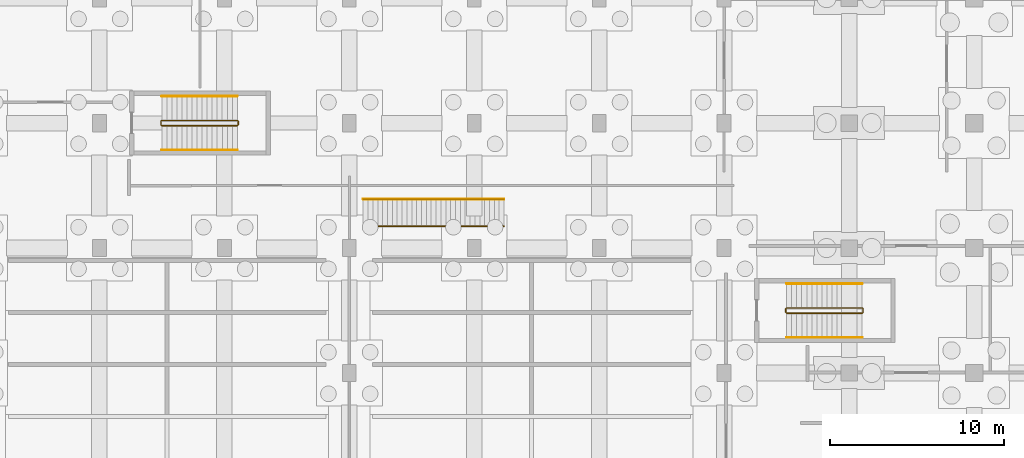
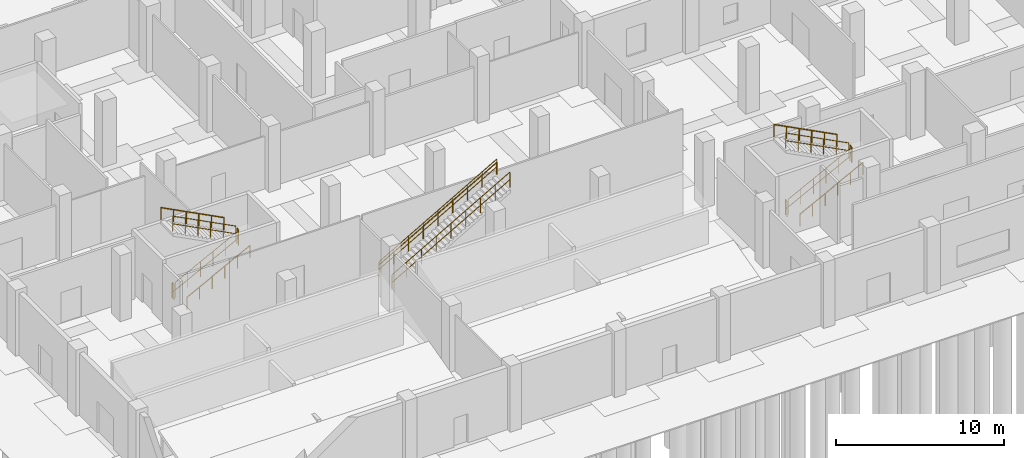
# One storey, part 38 of 48: 15 railings.
"""IFC4 building model written with IfcOpenShell, lengths in metres."""

from ifc_helpers import new_model, si_unit, direction, frame, origin, origin_2d, place, context, subcontext, project, spatial, circle, extrude, material, type_object, element, save


model = new_model("IFC4")

# Units and contexts
model_context = context("Model", 3, precision=1e-05, world=origin(), true_north=direction((0.0, 1.0)))
body_context = subcontext(model_context, "Body", "Model", "MODEL_VIEW")
ifc_project = project(units=[si_unit("LENGTHUNIT", "METRE"), si_unit("AREAUNIT", "SQUARE_METRE"), si_unit("VOLUMEUNIT", "CUBIC_METRE"), si_unit("PLANEANGLEUNIT", "RADIAN"), si_unit("MASSUNIT", "GRAM", prefix="KILO")], contexts=[model_context])

# Site, building, storey
site_placement = place(None, origin())
site = spatial("IfcSite", under=ifc_project, at=site_placement, CompositionType="ELEMENT")
building_placement = place(site_placement, origin())
building = spatial("IfcBuilding", under=site, at=building_placement, Name="Seraya Terrace Polytechnic", CompositionType="ELEMENT")
storey_placement = place(building_placement, origin())
storey = spatial("IfcBuildingStorey", under=building, at=storey_placement, Name="L00", CompositionType="ELEMENT", Elevation=0.0)

# Railings
ifc_material = material(Name="Steel S355J2", Category="steel")
railing_type_1 = type_object("IfcRailingType", Name="GR-02", PredefinedType="GUARDRAIL", material=ifc_material)
railing_1_placement = place(storey_placement, frame((46.800048828125, 10.64990234375, 0.14990234375)))
element("IfcRailing", 1, at=railing_1_placement, inside=storey, type_object=railing_type_1, Name="L00 ST-03 stair guard 1", PredefinedType="GUARDRAIL", context=body_context, shape_type="SweptSolid", body=[
    extrude(circle(Radius=0.02392578125, at=origin_2d()), frame((0.0, 0.0, 1.10595703125), z_axis=(0.888211329745, 0.0, 0.459435124596), x_axis=(0.0, 1.0, 0.0)), (0.0, 0.0, 1.0), 4.897216796875),
    extrude(circle(Radius=0.02392578125, at=origin_2d()), frame((0.0, 0.0, 0.550048828125), z_axis=(0.888211329745, 0.0, 0.459435124596), x_axis=(0.0, 1.0, 0.0)), (0.0, 0.0, 1.0), 4.897216796875),
    extrude(circle(Radius=0.02099609375, at=origin_2d()), origin(), (0.0, 0.0, 1.0), 1.081787109375),
    extrude(circle(Radius=0.02099609375, at=origin_2d()), frame((0.869873046875, 0.0, 0.449951171875)), (0.0, 0.0, 1.0), 1.081787109375),
    extrude(circle(Radius=0.02099609375, at=origin_2d()), frame((1.739990234375, 0.0, 0.89990234375)), (0.0, 0.0, 1.0), 1.081787109375),
    extrude(circle(Radius=0.02099609375, at=origin_2d()), frame((2.60986328125, 0.0, 1.35009765625)), (0.0, 0.0, 1.0), 1.081787109375),
    extrude(circle(Radius=0.02099609375, at=origin_2d()), frame((3.47998046875, 0.0, 1.800048828125)), (0.0, 0.0, 1.0), 1.081787109375),
    extrude(circle(Radius=0.02099609375, at=origin_2d()), frame((4.349853515625, 0.0, 2.25)), (0.0, 0.0, 1.0), 1.081787109375),
])
railing_2_placement = place(storey_placement, frame((51.199951171875, 10.699951171875, 2.39990234375)))
element("IfcRailing", 2, at=railing_2_placement, inside=storey, type_object=railing_type_1, Name="L00 ST-03 stair guard 2", PredefinedType="GUARDRAIL", context=body_context, shape_type="SweptSolid", body=[
    extrude(circle(Radius=0.02392578125, at=origin_2d()), frame((0.0, 0.0, 1.10595703125), z_axis=(0.0, 1.0, 0.0), x_axis=(-1.0, 0.0, 0.0)), (0.0, 0.0, 1.0), 0.199951171875),
    extrude(circle(Radius=0.02392578125, at=origin_2d()), frame((0.0, 0.0, 0.550048828125), z_axis=(0.0, 1.0, 0.0), x_axis=(-1.0, 0.0, 0.0)), (0.0, 0.0, 1.0), 0.199951171875),
    extrude(circle(Radius=0.02099609375, at=origin_2d()), origin(), (0.0, 0.0, 1.0), 1.081787109375),
    extrude(circle(Radius=0.02099609375, at=origin_2d()), frame((0.0, 0.199951171875, 0.0)), (0.0, 0.0, 1.0), 1.081787109375),
])
railing_3_placement = place(storey_placement, frame((51.14990234375, 10.949951171875, 2.550048828125)))
element("IfcRailing", 3, at=railing_3_placement, inside=storey, type_object=railing_type_1, Name="L00 ST-03 stair guard 3", PredefinedType="GUARDRAIL", context=body_context, shape_type="SweptSolid", body=[
    extrude(circle(Radius=0.02392578125, at=origin_2d()), frame((0.0, 0.0, 1.10595703125), z_axis=(-0.888211329745, 0.0, 0.459435124596), x_axis=(0.0, -1.0, 0.0)), (0.0, 0.0, 1.0), 4.897216796875),
    extrude(circle(Radius=0.02392578125, at=origin_2d()), frame((0.0, 0.0, 0.550048828125), z_axis=(-0.888211329745, 0.0, 0.459435124596), x_axis=(0.0, -1.0, 0.0)), (0.0, 0.0, 1.0), 4.897216796875),
    extrude(circle(Radius=0.02099609375, at=origin_2d()), origin(), (0.0, 0.0, 1.0), 1.081787109375),
    extrude(circle(Radius=0.02099609375, at=origin_2d()), frame((-0.869873046875, 0.0, 0.449951171875)), (0.0, 0.0, 1.0), 1.081787109375),
    extrude(circle(Radius=0.02099609375, at=origin_2d()), frame((-1.739990234375, 0.0, 0.89990234375)), (0.0, 0.0, 1.0), 1.081787109375),
    extrude(circle(Radius=0.02099609375, at=origin_2d()), frame((-2.60986328125, 0.0, 1.35009765625)), (0.0, 0.0, 1.0), 1.081787109375),
    extrude(circle(Radius=0.02099609375, at=origin_2d()), frame((-3.47998046875, 0.0, 1.800048828125)), (0.0, 0.0, 1.0), 1.081787109375),
    extrude(circle(Radius=0.02099609375, at=origin_2d()), frame((-4.349853515625, 0.0, 2.25)), (0.0, 0.0, 1.0), 1.081787109375),
])
railing_4_placement = place(storey_placement, frame((46.75, 10.699951171875, 0.0)))
element("IfcRailing", 4, at=railing_4_placement, inside=storey, type_object=railing_type_1, Name="L00 ST-03 stair guard 4", PredefinedType="GUARDRAIL", context=body_context, shape_type="SweptSolid", body=[
    extrude(circle(Radius=0.02392578125, at=origin_2d()), frame((0.0, 0.0, 1.10595703125), z_axis=(0.0, 1.0, 0.0), x_axis=(-1.0, 0.0, 0.0)), (0.0, 0.0, 1.0), 0.199951171875),
    extrude(circle(Radius=0.02392578125, at=origin_2d()), frame((0.0, 0.0, 0.550048828125), z_axis=(0.0, 1.0, 0.0), x_axis=(-1.0, 0.0, 0.0)), (0.0, 0.0, 1.0), 0.199951171875),
    extrude(circle(Radius=0.02099609375, at=origin_2d()), origin(), (0.0, 0.0, 1.0), 1.081787109375),
    extrude(circle(Radius=0.02099609375, at=origin_2d()), frame((0.0, 0.199951171875, 0.0)), (0.0, 0.0, 1.0), 1.081787109375),
])
railing_5_placement = place(storey_placement, frame((10.800048828125, 21.449951171875, 0.14990234375)))
element("IfcRailing", 5, at=railing_5_placement, inside=storey, type_object=railing_type_1, Name="L00 ST-09 stair guard 1", PredefinedType="GUARDRAIL", context=body_context, shape_type="SweptSolid", body=[
    extrude(circle(Radius=0.02392578125, at=origin_2d()), frame((0.0, 0.0, 1.10595703125), z_axis=(0.888211329745, 0.0, 0.459435124596), x_axis=(0.0, 1.0, 0.0)), (0.0, 0.0, 1.0), 4.897216796875),
    extrude(circle(Radius=0.02392578125, at=origin_2d()), frame((0.0, 0.0, 0.550048828125), z_axis=(0.888211329745, 0.0, 0.459435124596), x_axis=(0.0, 1.0, 0.0)), (0.0, 0.0, 1.0), 4.897216796875),
    extrude(circle(Radius=0.02099609375, at=origin_2d()), origin(), (0.0, 0.0, 1.0), 1.081787109375),
    extrude(circle(Radius=0.02099609375, at=origin_2d()), frame((0.869873046875, 0.0, 0.449951171875)), (0.0, 0.0, 1.0), 1.081787109375),
    extrude(circle(Radius=0.02099609375, at=origin_2d()), frame((1.739990234375, 0.0, 0.89990234375)), (0.0, 0.0, 1.0), 1.081787109375),
    extrude(circle(Radius=0.02099609375, at=origin_2d()), frame((2.60986328125, 0.0, 1.35009765625)), (0.0, 0.0, 1.0), 1.081787109375),
    extrude(circle(Radius=0.02099609375, at=origin_2d()), frame((3.47998046875, 0.0, 1.800048828125)), (0.0, 0.0, 1.0), 1.081787109375),
    extrude(circle(Radius=0.02099609375, at=origin_2d()), frame((4.349853515625, 0.0, 2.25)), (0.0, 0.0, 1.0), 1.081787109375),
])
railing_6_placement = place(storey_placement, frame((15.199951171875, 21.5, 2.39990234375)))
element("IfcRailing", 6, at=railing_6_placement, inside=storey, type_object=railing_type_1, Name="L00 ST-09 stair guard 2", PredefinedType="GUARDRAIL", context=body_context, shape_type="SweptSolid", body=[
    extrude(circle(Radius=0.02392578125, at=origin_2d()), frame((0.0, 0.0, 1.10595703125), z_axis=(0.0, 1.0, 0.0), x_axis=(-1.0, 0.0, 0.0)), (0.0, 0.0, 1.0), 0.199951171875),
    extrude(circle(Radius=0.02392578125, at=origin_2d()), frame((0.0, 0.0, 0.550048828125), z_axis=(0.0, 1.0, 0.0), x_axis=(-1.0, 0.0, 0.0)), (0.0, 0.0, 1.0), 0.199951171875),
    extrude(circle(Radius=0.02099609375, at=origin_2d()), origin(), (0.0, 0.0, 1.0), 1.081787109375),
    extrude(circle(Radius=0.02099609375, at=origin_2d()), frame((0.0, 0.199951171875, 0.0)), (0.0, 0.0, 1.0), 1.081787109375),
])
railing_7_placement = place(storey_placement, frame((15.14990234375, 21.75, 2.550048828125)))
element("IfcRailing", 7, at=railing_7_placement, inside=storey, type_object=railing_type_1, Name="L00 ST-09 stair guard 3", PredefinedType="GUARDRAIL", context=body_context, shape_type="SweptSolid", body=[
    extrude(circle(Radius=0.02392578125, at=origin_2d()), frame((0.0, 0.0, 1.10595703125), z_axis=(-0.888211329745, 0.0, 0.459435124596), x_axis=(0.0, -1.0, 0.0)), (0.0, 0.0, 1.0), 4.897216796875),
    extrude(circle(Radius=0.02392578125, at=origin_2d()), frame((0.0, 0.0, 0.550048828125), z_axis=(-0.888211329745, 0.0, 0.459435124596), x_axis=(0.0, -1.0, 0.0)), (0.0, 0.0, 1.0), 4.897216796875),
    extrude(circle(Radius=0.02099609375, at=origin_2d()), origin(), (0.0, 0.0, 1.0), 1.081787109375),
    extrude(circle(Radius=0.02099609375, at=origin_2d()), frame((-0.869873046875, 0.0, 0.449951171875)), (0.0, 0.0, 1.0), 1.081787109375),
    extrude(circle(Radius=0.02099609375, at=origin_2d()), frame((-1.739990234375, 0.0, 0.89990234375)), (0.0, 0.0, 1.0), 1.081787109375),
    extrude(circle(Radius=0.02099609375, at=origin_2d()), frame((-2.60986328125, 0.0, 1.35009765625)), (0.0, 0.0, 1.0), 1.081787109375),
    extrude(circle(Radius=0.02099609375, at=origin_2d()), frame((-3.47998046875, 0.0, 1.800048828125)), (0.0, 0.0, 1.0), 1.081787109375),
    extrude(circle(Radius=0.02099609375, at=origin_2d()), frame((-4.349853515625, 0.0, 2.25)), (0.0, 0.0, 1.0), 1.081787109375),
])
railing_8_placement = place(storey_placement, frame((10.75, 21.5, 0.0)))
element("IfcRailing", 8, at=railing_8_placement, inside=storey, type_object=railing_type_1, Name="L00 ST-09 stair guard 4", PredefinedType="GUARDRAIL", context=body_context, shape_type="SweptSolid", body=[
    extrude(circle(Radius=0.02392578125, at=origin_2d()), frame((0.0, 0.0, 1.10595703125), z_axis=(0.0, 1.0, 0.0), x_axis=(-1.0, 0.0, 0.0)), (0.0, 0.0, 1.0), 0.199951171875),
    extrude(circle(Radius=0.02392578125, at=origin_2d()), frame((0.0, 0.0, 0.550048828125), z_axis=(0.0, 1.0, 0.0), x_axis=(-1.0, 0.0, 0.0)), (0.0, 0.0, 1.0), 0.199951171875),
    extrude(circle(Radius=0.02099609375, at=origin_2d()), origin(), (0.0, 0.0, 1.0), 1.081787109375),
    extrude(circle(Radius=0.02099609375, at=origin_2d()), frame((0.0, 0.199951171875, 0.0)), (0.0, 0.0, 1.0), 1.081787109375),
])
for number, where, name in (
    (9, (22.39990234375, 15.659912109375, 0.159912109375), "ST-15 flight guard L00"),
    (10, (22.39990234375, 17.219970703125, 0.159912109375), "ST-15 flight outer guard L00"),
):
    element("IfcRailing", number, at=place(storey_placement, frame(where)), inside=storey, type_object=railing_type_1, Name=name, PredefinedType="GUARDRAIL", context=body_context, shape_type="SweptSolid", body=[
        extrude(circle(Radius=0.02392578125, at=origin_2d()), frame((0.0, 0.0, 1.10595703125), z_axis=(0.868239929229, 0.0, 0.496144560882), x_axis=(0.0, 1.0, 0.0)), (0.0, 0.0, 1.0), 9.352294921875),
        extrude(circle(Radius=0.02392578125, at=origin_2d()), frame((0.0, 0.0, 0.550048828125), z_axis=(0.868239929229, 0.0, 0.496144560882), x_axis=(0.0, 1.0, 0.0)), (0.0, 0.0, 1.0), 9.352294921875),
        extrude(circle(Radius=0.02099609375, at=origin_2d()), origin(), (0.0, 0.0, 1.0), 1.081787109375),
        extrude(circle(Radius=0.02099609375, at=origin_2d()), frame((1.01513671875, 0.0, 0.580078125)), (0.0, 0.0, 1.0), 1.081787109375),
        extrude(circle(Radius=0.02099609375, at=origin_2d()), frame((2.030029296875, 0.0, 1.16015625)), (0.0, 0.0, 1.0), 1.081787109375),
        extrude(circle(Radius=0.02099609375, at=origin_2d()), frame((3.044921875, 0.0, 1.739990234375)), (0.0, 0.0, 1.0), 1.081787109375),
        extrude(circle(Radius=0.02099609375, at=origin_2d()), frame((4.06005859375, 0.0, 2.320068359375)), (0.0, 0.0, 1.0), 1.081787109375),
        extrude(circle(Radius=0.02099609375, at=origin_2d()), frame((5.0751953125, 0.0, 2.900146484375)), (0.0, 0.0, 1.0), 1.081787109375),
        extrude(circle(Radius=0.02099609375, at=origin_2d()), frame((6.090087890625, 0.0, 3.47998046875)), (0.0, 0.0, 1.0), 1.081787109375),
        extrude(circle(Radius=0.02099609375, at=origin_2d()), frame((7.10498046875, 0.0, 4.06005859375)), (0.0, 0.0, 1.0), 1.081787109375),
        extrude(circle(Radius=0.02099609375, at=origin_2d()), frame((8.1201171875, 0.0, 4.64013671875)), (0.0, 0.0, 1.0), 1.081787109375),
    ])
railing_type_2 = type_object("IfcRailingType", Name="HR-01", PredefinedType="HANDRAIL", material=ifc_material)
railing_9_placement = place(storey_placement, frame((46.800048828125, 9.25, 0.14990234375)))
element("IfcRailing", 11, at=railing_9_placement, inside=storey, type_object=railing_type_2, Name="L00 ST-03 stair handrail 1", PredefinedType="HANDRAIL", context=body_context, shape_type="SweptSolid", body=[
    extrude(circle(Radius=0.02392578125, at=origin_2d()), frame((0.0, 0.0, 0.8759765625), z_axis=(0.888211329745, 0.0, 0.459435124596), x_axis=(0.0, 1.0, 0.0)), (0.0, 0.0, 1.0), 4.897216796875),
    extrude(circle(Radius=0.02099609375, at=origin_2d()), origin(), (0.0, 0.0, 1.0), 0.851806640625),
    extrude(circle(Radius=0.02099609375, at=origin_2d()), frame((0.869873046875, 0.0, 0.449951171875)), (0.0, 0.0, 1.0), 0.851806640625),
    extrude(circle(Radius=0.02099609375, at=origin_2d()), frame((1.739990234375, 0.0, 0.89990234375)), (0.0, 0.0, 1.0), 0.851806640625),
    extrude(circle(Radius=0.02099609375, at=origin_2d()), frame((2.60986328125, 0.0, 1.35009765625)), (0.0, 0.0, 1.0), 0.851806640625),
    extrude(circle(Radius=0.02099609375, at=origin_2d()), frame((3.47998046875, 0.0, 1.800048828125)), (0.0, 0.0, 1.0), 0.851806640625),
    extrude(circle(Radius=0.02099609375, at=origin_2d()), frame((4.349853515625, 0.0, 2.25)), (0.0, 0.0, 1.0), 0.851806640625),
])
railing_10_placement = place(storey_placement, frame((51.14990234375, 12.35009765625, 2.550048828125)))
element("IfcRailing", 12, at=railing_10_placement, inside=storey, type_object=railing_type_2, Name="L00 ST-03 stair handrail 2", PredefinedType="HANDRAIL", context=body_context, shape_type="SweptSolid", body=[
    extrude(circle(Radius=0.02392578125, at=origin_2d()), frame((0.0, 0.0, 0.8759765625), z_axis=(-0.888211329745, 0.0, 0.459435124596), x_axis=(0.0, -1.0, 0.0)), (0.0, 0.0, 1.0), 4.897216796875),
    extrude(circle(Radius=0.02099609375, at=origin_2d()), origin(), (0.0, 0.0, 1.0), 0.851806640625),
    extrude(circle(Radius=0.02099609375, at=origin_2d()), frame((-0.869873046875, 0.0, 0.449951171875)), (0.0, 0.0, 1.0), 0.851806640625),
    extrude(circle(Radius=0.02099609375, at=origin_2d()), frame((-1.739990234375, 0.0, 0.89990234375)), (0.0, 0.0, 1.0), 0.851806640625),
    extrude(circle(Radius=0.02099609375, at=origin_2d()), frame((-2.60986328125, 0.0, 1.35009765625)), (0.0, 0.0, 1.0), 0.851806640625),
    extrude(circle(Radius=0.02099609375, at=origin_2d()), frame((-3.47998046875, 0.0, 1.800048828125)), (0.0, 0.0, 1.0), 0.851806640625),
    extrude(circle(Radius=0.02099609375, at=origin_2d()), frame((-4.349853515625, 0.0, 2.25)), (0.0, 0.0, 1.0), 0.851806640625),
])
railing_11_placement = place(storey_placement, frame((10.800048828125, 20.050048828125, 0.14990234375)))
element("IfcRailing", 13, at=railing_11_placement, inside=storey, type_object=railing_type_2, Name="L00 ST-09 stair handrail 1", PredefinedType="HANDRAIL", context=body_context, shape_type="SweptSolid", body=[
    extrude(circle(Radius=0.02392578125, at=origin_2d()), frame((0.0, 0.0, 0.8759765625), z_axis=(0.888211329745, 0.0, 0.459435124596), x_axis=(0.0, 1.0, 0.0)), (0.0, 0.0, 1.0), 4.897216796875),
    extrude(circle(Radius=0.02099609375, at=origin_2d()), origin(), (0.0, 0.0, 1.0), 0.851806640625),
    extrude(circle(Radius=0.02099609375, at=origin_2d()), frame((0.869873046875, 0.0, 0.449951171875)), (0.0, 0.0, 1.0), 0.851806640625),
    extrude(circle(Radius=0.02099609375, at=origin_2d()), frame((1.739990234375, 0.0, 0.89990234375)), (0.0, 0.0, 1.0), 0.851806640625),
    extrude(circle(Radius=0.02099609375, at=origin_2d()), frame((2.60986328125, 0.0, 1.35009765625)), (0.0, 0.0, 1.0), 0.851806640625),
    extrude(circle(Radius=0.02099609375, at=origin_2d()), frame((3.47998046875, 0.0, 1.800048828125)), (0.0, 0.0, 1.0), 0.851806640625),
    extrude(circle(Radius=0.02099609375, at=origin_2d()), frame((4.349853515625, 0.0, 2.25)), (0.0, 0.0, 1.0), 0.851806640625),
])
railing_12_placement = place(storey_placement, frame((15.14990234375, 23.14990234375, 2.550048828125)))
element("IfcRailing", 14, at=railing_12_placement, inside=storey, type_object=railing_type_2, Name="L00 ST-09 stair handrail 2", PredefinedType="HANDRAIL", context=body_context, shape_type="SweptSolid", body=[
    extrude(circle(Radius=0.02392578125, at=origin_2d()), frame((0.0, 0.0, 0.8759765625), z_axis=(-0.888211329745, 0.0, 0.459435124596), x_axis=(0.0, -1.0, 0.0)), (0.0, 0.0, 1.0), 4.897216796875),
    extrude(circle(Radius=0.02099609375, at=origin_2d()), origin(), (0.0, 0.0, 1.0), 0.851806640625),
    extrude(circle(Radius=0.02099609375, at=origin_2d()), frame((-0.869873046875, 0.0, 0.449951171875)), (0.0, 0.0, 1.0), 0.851806640625),
    extrude(circle(Radius=0.02099609375, at=origin_2d()), frame((-1.739990234375, 0.0, 0.89990234375)), (0.0, 0.0, 1.0), 0.851806640625),
    extrude(circle(Radius=0.02099609375, at=origin_2d()), frame((-2.60986328125, 0.0, 1.35009765625)), (0.0, 0.0, 1.0), 0.851806640625),
    extrude(circle(Radius=0.02099609375, at=origin_2d()), frame((-3.47998046875, 0.0, 1.800048828125)), (0.0, 0.0, 1.0), 0.851806640625),
    extrude(circle(Radius=0.02099609375, at=origin_2d()), frame((-4.349853515625, 0.0, 2.25)), (0.0, 0.0, 1.0), 0.851806640625),
])
railing_13_placement = place(storey_placement, frame((22.39990234375, 17.219970703125, 0.159912109375)))
element("IfcRailing", 15, at=railing_13_placement, inside=storey, type_object=railing_type_2, Name="ST-15 handrail L00", PredefinedType="HANDRAIL", context=body_context, shape_type="SweptSolid", body=[
    extrude(circle(Radius=0.02392578125, at=origin_2d()), frame((0.0, 0.0, 0.8759765625), z_axis=(0.868239929229, 0.0, 0.496144560882), x_axis=(0.0, 1.0, 0.0)), (0.0, 0.0, 1.0), 9.352294921875),
    extrude(circle(Radius=0.02099609375, at=origin_2d()), origin(), (0.0, 0.0, 1.0), 0.851806640625),
    extrude(circle(Radius=0.02099609375, at=origin_2d()), frame((1.01513671875, 0.0, 0.580078125)), (0.0, 0.0, 1.0), 0.851806640625),
    extrude(circle(Radius=0.02099609375, at=origin_2d()), frame((2.030029296875, 0.0, 1.16015625)), (0.0, 0.0, 1.0), 0.851806640625),
    extrude(circle(Radius=0.02099609375, at=origin_2d()), frame((3.044921875, 0.0, 1.739990234375)), (0.0, 0.0, 1.0), 0.851806640625),
    extrude(circle(Radius=0.02099609375, at=origin_2d()), frame((4.06005859375, 0.0, 2.320068359375)), (0.0, 0.0, 1.0), 0.851806640625),
    extrude(circle(Radius=0.02099609375, at=origin_2d()), frame((5.0751953125, 0.0, 2.900146484375)), (0.0, 0.0, 1.0), 0.851806640625),
    extrude(circle(Radius=0.02099609375, at=origin_2d()), frame((6.090087890625, 0.0, 3.47998046875)), (0.0, 0.0, 1.0), 0.851806640625),
    extrude(circle(Radius=0.02099609375, at=origin_2d()), frame((7.10498046875, 0.0, 4.06005859375)), (0.0, 0.0, 1.0), 0.851806640625),
    extrude(circle(Radius=0.02099609375, at=origin_2d()), frame((8.1201171875, 0.0, 4.64013671875)), (0.0, 0.0, 1.0), 0.851806640625),
])

save(model, "model.ifc")
